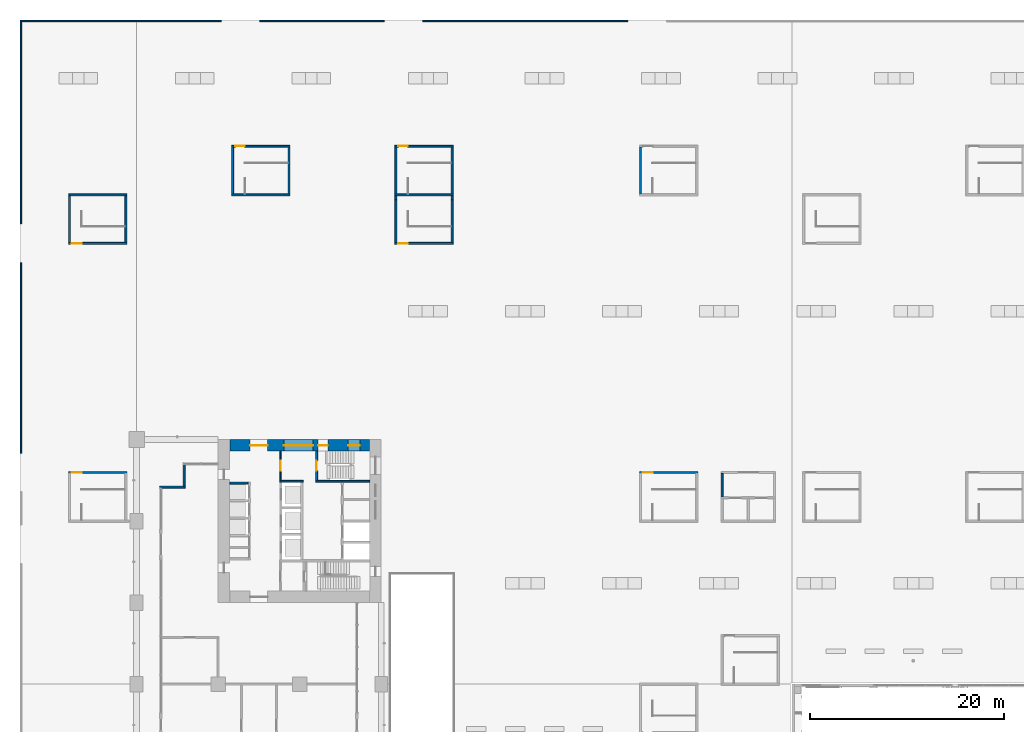
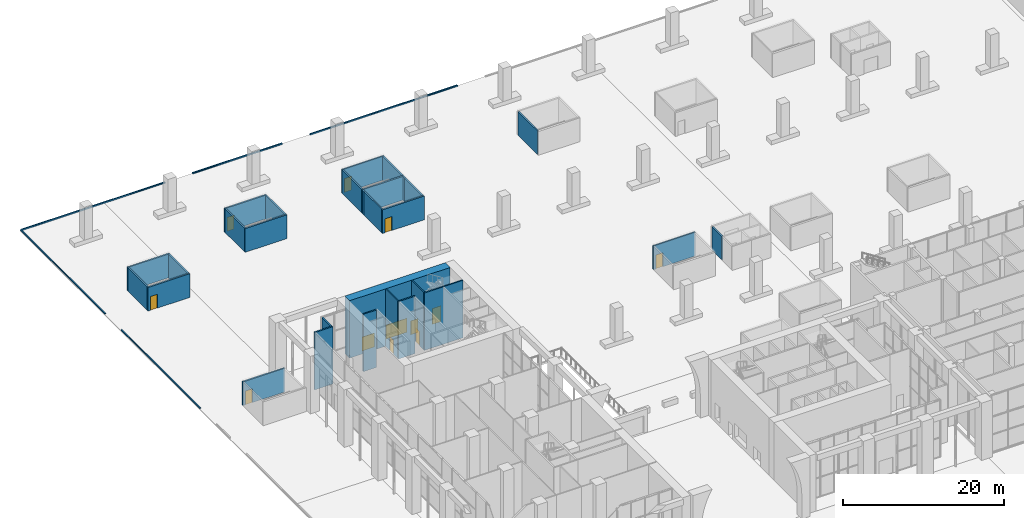
# One storey, part 28 of 46: 34 walls, 10 doors, 2 windows, 12 openings.
"""IFC4 building model written with IfcOpenShell, lengths in metres."""

from ifc_helpers import new_model, si_unit, direction, frame, frame_2d, origin, place, context, subcontext, project, spatial, rectangle, extrude, material, layer, layer_set, type_object, element, fill, save


model = new_model("IFC4")

# Units and contexts
model_context = context("Model", 3, precision=1e-05, world=origin(), true_north=direction((0.0, 1.0)))
body_context = subcontext(model_context, "Body", "Model", "MODEL_VIEW")
ifc_project = project(units=[si_unit("LENGTHUNIT", "METRE"), si_unit("AREAUNIT", "SQUARE_METRE"), si_unit("VOLUMEUNIT", "CUBIC_METRE"), si_unit("PLANEANGLEUNIT", "RADIAN"), si_unit("MASSUNIT", "GRAM", prefix="KILO")], contexts=[model_context])

# Site, building, storey
site_placement = place(None, origin())
site = spatial("IfcSite", under=ifc_project, at=site_placement, CompositionType="ELEMENT")
building_placement = place(site_placement, origin())
building = spatial("IfcBuilding", under=site, at=building_placement, Name="Vermilion Gate Residences", CompositionType="ELEMENT")
storey_placement = place(building_placement, origin())
storey = spatial("IfcBuildingStorey", under=building, at=storey_placement, Name="L00", CompositionType="ELEMENT", Elevation=0.0)

# Wall, opening, door
ifc_material_1 = material(Name="Masonry blockwork", Category="masonry")
ifc_layer_1 = layer(ifc_material_1, 0.14990234375)
ifc_layer_set_1 = layer_set([ifc_layer_1], Name="BLOCKWORK PARTITION 150 EI 120")
wall_type_1 = type_object("IfcWallType", Name="BLOCKWORK PARTITION 150 EI 120", PredefinedType="PARTITIONING", material=ifc_layer_set_1)
wall_1_placement = place(storey_placement, frame((14.824951171875, 57.60009765625, 0.0), z_axis=(0.0, 0.0, 1.0), x_axis=(0.0, -1.0, 0.0)))
wall_1 = element("IfcWall", 1, at=wall_1_placement, inside=storey, type_object=wall_type_1, Name="Core room partition B00-VW-S", PredefinedType="PARTITIONING", context=body_context, shape_type="SweptSolid", body=[
    extrude(rectangle(XDim=3.0, YDim=0.14990234375, at=frame_2d((1.5, 0.0))), origin(), (0.0, 0.0, 1.0), 8.699951171875),
])
opening_1_placement = place(wall_1_placement, frame((1.0, 0.0, 0.0)))
opening_1 = element("IfcOpeningElement", 2, at=opening_1_placement, cuts=wall_1, Name="Opening DK00119", PredefinedType="OPENING", context=body_context, shape_type="SweptSolid", body=[
    extrude(rectangle(XDim=1.0, YDim=2.10009765625, at=frame_2d((0.5, 1.050048828125))), frame((0.0, 0.0849609375, 0.0), z_axis=(0.0, -1.0, 0.0), x_axis=(1.0, 0.0, 0.0)), (0.0, 0.0, 1.0), 0.169921875),
])
ifc_material_2 = material(Name="Steel", Category="steel")
door_type_1 = type_object("IfcDoorType", Name="FIRE DOOR FD60 1000 X 2100", OperationType="SINGLE_SWING_LEFT", PredefinedType="DOOR", material=ifc_material_2)
door_1_placement = place(opening_1_placement, frame((1.0, 0.0, 0.0), z_axis=(0.0, 0.0, 1.0), x_axis=(-1.0, 0.0, 0.0)))
door_1 = element("IfcDoor", 3, at=door_1_placement, inside=storey, type_object=door_type_1, Name="Stair vestibule door B00", OperationType="SINGLE_SWING_RIGHT", OverallHeight=2.10009765625, OverallWidth=1.0, PredefinedType="DOOR", context=body_context, shape_type="SweptSolid", body=[
    extrude(rectangle(XDim=1.0, YDim=2.10009765625, at=frame_2d((0.5, 1.050048828125))), frame((0.0, 0.02490234375, 0.0), z_axis=(0.0, -1.0, 0.0), x_axis=(1.0, 0.0, 0.0)), (0.0, 0.0, 1.0), 0.050048828125),
])
fill(opening_1, door_1)

# Walls
ifc_material_3 = material(Name="Insulated steel stud wall with terracotta rainscreen", Category="masonry")
ifc_layer_2 = layer(ifc_material_3, 0.199951171875)
ifc_layer_set_2 = layer_set([ifc_layer_2], Name="EXTERNAL WALL 200 TERRACOTTA RAINSCREEN")
wall_type_2 = type_object("IfcWallType", Name="EXTERNAL WALL 200 TERRACOTTA RAINSCREEN", PredefinedType="SOLIDWALL", material=ifc_layer_set_2)
wall_2_placement = place(storey_placement, frame((4.89990234375, 56.199951171875, 0.0), z_axis=(0.0, 0.0, 1.0), x_axis=(0.0, -1.0, 0.0)))
element("IfcWall", 4, at=wall_2_placement, inside=storey, type_object=wall_type_2, Name="External wall", PredefinedType="SOLIDWALL", context=body_context, shape_type="SweptSolid", body=[
    extrude(rectangle(XDim=2.199951171875, YDim=0.199951171875, at=frame_2d((1.10009765625, 0.0))), origin(), (0.0, 0.0, 1.0), 8.699951171875),
])
wall_3_placement = place(storey_placement, frame((5.0, 53.89990234375, 0.0), z_axis=(0.0, 0.0, 1.0), x_axis=(-1.0, 0.0, 0.0)))
element("IfcWall", 5, at=wall_3_placement, inside=storey, type_object=wall_type_2, Name="External wall", PredefinedType="SOLIDWALL", context=body_context, shape_type="SweptSolid", body=[
    extrude(rectangle(XDim=2.60009765625, YDim=0.199951171875, at=frame_2d((1.300048828125, 0.0))), origin(), (0.0, 0.0, 1.0), 8.699951171875),
])
ifc_material_4 = material(Name="Concrete C35", Category="concrete")
ifc_layer_3 = layer(ifc_material_4, 0.14990234375)
ifc_layer_set_3 = layer_set([ifc_layer_3], Name="KERB 150 X 150 C35 (MARKET HALL)")
wall_type_3 = type_object("IfcWallType", Name="KERB 150 X 150 C35 (MARKET HALL)", PredefinedType="SOLIDWALL", material=ifc_layer_set_3)
wall_4_placement = place(storey_placement, frame((-11.830078125, 101.905029296875, 0.0), z_axis=(0.0, 0.0, 1.0), x_axis=(1.0, 0.0, 0.0)))
element("IfcWall", 6, at=wall_4_placement, inside=storey, type_object=wall_type_3, Name="Kerb north edge 1", PredefinedType="SOLIDWALL", context=body_context, shape_type="SweptSolid", body=[
    extrude(rectangle(XDim=20.530029296875, YDim=0.14990234375, at=frame_2d((10.26513671875, 0.0))), origin(), (0.0, 0.0, 1.0), 0.14990234375),
])
wall_5_placement = place(storey_placement, frame((12.699951171875, 101.905029296875, 0.0), z_axis=(0.0, 0.0, 1.0), x_axis=(1.0, 0.0, 0.0)))
element("IfcWall", 7, at=wall_5_placement, inside=storey, type_object=wall_type_3, Name="Kerb north edge 2", PredefinedType="SOLIDWALL", context=body_context, shape_type="SweptSolid", body=[
    extrude(rectangle(XDim=12.800048828125, YDim=0.14990234375, at=frame_2d((6.39990234375, 0.0))), origin(), (0.0, 0.0, 1.0), 0.14990234375),
])
wall_6_placement = place(storey_placement, frame((29.5, 101.905029296875, 0.0), z_axis=(0.0, 0.0, 1.0), x_axis=(1.0, 0.0, 0.0)))
element("IfcWall", 8, at=wall_6_placement, inside=storey, type_object=wall_type_3, Name="Kerb north edge 3", PredefinedType="SOLIDWALL", context=body_context, shape_type="SweptSolid", body=[
    extrude(rectangle(XDim=21.10009765625, YDim=0.14990234375, at=frame_2d((10.550048828125, 0.0))), origin(), (0.0, 0.0, 1.0), 0.14990234375),
])
wall_7_placement = place(storey_placement, frame((-11.905029296875, 57.39990234375, 0.0), z_axis=(0.0, 0.0, 1.0), x_axis=(0.0, 1.0, 0.0)))
element("IfcWall", 9, at=wall_7_placement, inside=storey, type_object=wall_type_3, Name="Kerb west edge 4", PredefinedType="SOLIDWALL", context=body_context, shape_type="SweptSolid", body=[
    extrude(rectangle(XDim=19.60009765625, YDim=0.14990234375, at=frame_2d((9.800048828125, 0.0))), origin(), (0.0, 0.0, 1.0), 0.14990234375),
])
wall_8_placement = place(storey_placement, frame((-11.905029296875, 81.0, 0.0), z_axis=(0.0, 0.0, 1.0), x_axis=(0.0, 1.0, 0.0)))
element("IfcWall", 10, at=wall_8_placement, inside=storey, type_object=wall_type_3, Name="Kerb west edge 5", PredefinedType="SOLIDWALL", context=body_context, shape_type="SweptSolid", body=[
    extrude(rectangle(XDim=20.97998046875, YDim=0.14990234375, at=frame_2d((10.489990234375, 0.0))), origin(), (0.0, 0.0, 1.0), 0.14990234375),
])
ifc_material_5 = material(Name="Concrete C60", Category="concrete")
ifc_layer_4 = layer(ifc_material_5, 0.199951171875)
ifc_layer_set_4 = layer_set([ifc_layer_4], Name="RC CORE INTERNAL WALL 200 C60")
wall_type_4 = type_object("IfcWallType", Name="RC CORE INTERNAL WALL 200 C60", PredefinedType="SHEAR", material=ifc_layer_set_4)
wall_9_placement = place(storey_placement, frame((9.60009765625, 54.300048828125, 0.0), z_axis=(0.0, 0.0, 1.0), x_axis=(1.0, 0.0, 0.0)))
element("IfcWall", 11, at=wall_9_placement, inside=storey, type_object=wall_type_4, Name="Core internal wall B00-LR-D0", PredefinedType="SHEAR", context=body_context, shape_type="SweptSolid", body=[
    extrude(rectangle(XDim=1.89990234375, YDim=0.199951171875, at=frame_2d((0.949951171875, 0.0))), origin(), (0.0, 0.0, 1.0), 8.699951171875),
])
wall_10_placement = place(storey_placement, frame((14.75, 54.5, 0.0), z_axis=(0.0, 0.0, 1.0), x_axis=(1.0, 0.0, 0.0)))
element("IfcWall", 12, at=wall_10_placement, inside=storey, type_object=wall_type_4, Name="Core internal wall B00-WDIV1", PredefinedType="SHEAR", context=body_context, shape_type="SweptSolid", body=[
    extrude(rectangle(XDim=2.39990234375, YDim=0.199951171875, at=frame_2d((1.199951171875, 0.0))), origin(), (0.0, 0.0, 1.0), 8.699951171875),
])
wall_11_placement = place(storey_placement, frame((18.449951171875, 54.5, 0.0), z_axis=(0.0, 0.0, 1.0), x_axis=(1.0, 0.0, 0.0)))
element("IfcWall", 13, at=wall_11_placement, inside=storey, type_object=wall_type_4, Name="Core internal wall B00-WDIV2", PredefinedType="SHEAR", context=body_context, shape_type="SweptSolid", body=[
    extrude(rectangle(XDim=5.550048828125, YDim=0.199951171875, at=frame_2d((2.77490234375, 0.0))), origin(), (0.0, 0.0, 1.0), 8.699951171875),
])

# Wall, opening, door
wall_12_placement = place(storey_placement, frame((18.550048828125, 57.60009765625, 0.0), z_axis=(0.0, 0.0, 1.0), x_axis=(0.0, -1.0, 0.0)))
wall_12 = element("IfcWall", 14, at=wall_12_placement, inside=storey, type_object=wall_type_4, Name="Core internal wall B00-STW-S", PredefinedType="SHEAR", context=body_context, shape_type="SweptSolid", body=[
    extrude(rectangle(XDim=3.0, YDim=0.199951171875, at=frame_2d((1.5, 0.0))), origin(), (0.0, 0.0, 1.0), 8.699951171875),
])
opening_2_placement = place(wall_12_placement, frame((1.0, 0.0, 0.0)))
opening_2 = element("IfcOpeningElement", 15, at=opening_2_placement, cuts=wall_12, Name="Opening DK00120", PredefinedType="OPENING", context=body_context, shape_type="SweptSolid", body=[
    extrude(rectangle(XDim=1.0, YDim=2.10009765625, at=frame_2d((0.5, 1.050048828125))), frame((0.0, 0.10986328125, 0.0), z_axis=(0.0, -1.0, 0.0), x_axis=(1.0, 0.0, 0.0)), (0.0, 0.0, 1.0), 0.219970703125),
])
door_2_placement = place(opening_2_placement, origin())
door_2 = element("IfcDoor", 16, at=door_2_placement, inside=storey, type_object=door_type_1, Name="Stair door B00", OperationType="SINGLE_SWING_LEFT", OverallHeight=2.10009765625, OverallWidth=1.0, PredefinedType="DOOR", context=body_context, shape_type="SweptSolid", body=[
    extrude(rectangle(XDim=1.0, YDim=2.10009765625, at=frame_2d((0.5, 1.050048828125))), frame((0.0, 0.02490234375, 0.0), z_axis=(0.0, -1.0, 0.0), x_axis=(1.0, 0.0, 0.0)), (0.0, 0.0, 1.0), 0.050048828125),
])
fill(opening_2, door_2)

# Wall, openings, windows, doors
ifc_material_6 = material(Name="Concrete C80 red-oxide pigmented", Category="concrete")
ifc_layer_5 = layer(ifc_material_6, 1.199951171875)
ifc_layer_set_5 = layer_set([ifc_layer_5], Name="RC CORE WALL 1200 C80 RED OXIDE")
wall_type_5 = type_object("IfcWallType", Name="RC CORE WALL 1200 C80 RED OXIDE", PredefinedType="SHEAR", material=ifc_layer_set_5)
wall_13_placement = place(storey_placement, frame((9.60009765625, 58.199951171875, 0.0), z_axis=(0.0, 0.0, 1.0), x_axis=(1.0, 0.0, 0.0)))
wall_13 = element("IfcWall", 17, at=wall_13_placement, inside=storey, type_object=wall_type_5, Name="Core wall B00-OUT-FR", PredefinedType="SHEAR", context=body_context, shape_type="SweptSolid", body=[
    extrude(rectangle(XDim=14.39990234375, YDim=1.199951171875, at=frame_2d((7.199951171875, 0.0))), origin(), (0.0, 0.0, 1.0), 8.699951171875),
])
opening_3_placement = place(wall_13_placement, frame((2.10009765625, 0.0, 0.0)))
opening_3 = element("IfcOpeningElement", 18, at=opening_3_placement, cuts=wall_13, Name="Opening DK00104", PredefinedType="OPENING", context=body_context, shape_type="SweptSolid", body=[
    extrude(rectangle(XDim=1.800048828125, YDim=2.10009765625, at=frame_2d((0.89990234375, 1.050048828125))), frame((0.0, 0.60986328125, 0.0), z_axis=(0.0, -1.0, 0.0), x_axis=(1.0, 0.0, 0.0)), (0.0, 0.0, 1.0), 1.219970703125),
])
opening_4_placement = place(wall_13_placement, frame((9.10009765625, 0.0, 0.0)))
opening_4 = element("IfcOpeningElement", 19, at=opening_4_placement, cuts=wall_13, Name="Opening DK00105", PredefinedType="OPENING", context=body_context, shape_type="SweptSolid", body=[
    extrude(rectangle(XDim=1.0, YDim=2.10009765625, at=frame_2d((0.5, 1.050048828125))), frame((0.0, 0.60986328125, 0.0), z_axis=(0.0, -1.0, 0.0), x_axis=(1.0, 0.0, 0.0)), (0.0, 0.0, 1.0), 1.219970703125),
])
opening_5_placement = place(wall_13_placement, frame((5.574951171875, 0.0, 0.60009765625)))
opening_5 = element("IfcOpeningElement", 20, at=opening_5_placement, cuts=wall_13, Name="Opening WKB0004", PredefinedType="OPENING", context=body_context, shape_type="SweptSolid", body=[
    extrude(rectangle(XDim=3.0, YDim=2.10009765625, at=frame_2d((1.5, 1.050048828125))), frame((0.0, 0.60986328125, 0.0), z_axis=(0.0, -1.0, 0.0), x_axis=(1.0, 0.0, 0.0)), (0.0, 0.0, 1.0), 1.219970703125),
])
opening_6_placement = place(wall_13_placement, frame((12.19677734375, 0.0, 0.5)))
opening_6 = element("IfcOpeningElement", 21, at=opening_6_placement, cuts=wall_13, Name="Opening WKB0005", PredefinedType="OPENING", context=body_context, shape_type="SweptSolid", body=[
    extrude(rectangle(XDim=1.199951171875, YDim=2.39990234375, at=frame_2d((0.60009765625, 1.199951171875))), frame((0.0, 0.60986328125, 0.0), z_axis=(0.0, -1.0, 0.0), x_axis=(1.0, 0.0, 0.0)), (0.0, 0.0, 1.0), 1.219970703125),
])
ifc_material_7 = material(Name="Aluminium and clear glass", Category="aluminium")
window_type_1 = type_object("IfcWindowType", Name="CORE LOBBY WINDOW 3000 X 2100", PartitioningType="SINGLE_PANEL", PredefinedType="WINDOW", material=ifc_material_7)
window_1_placement = place(opening_5_placement, origin())
window_1 = element("IfcWindow", 22, at=window_1_placement, inside=storey, type_object=window_type_1, Name="Core lobby window", OverallHeight=2.10009765625, OverallWidth=3.0, PartitioningType="SINGLE_PANEL", PredefinedType="WINDOW", context=body_context, shape_type="SweptSolid", body=[
    extrude(rectangle(XDim=3.0, YDim=2.10009765625, at=frame_2d((1.5, 1.050048828125))), frame((0.0, 0.030029296875, 0.0), z_axis=(0.0, -1.0, 0.0), x_axis=(1.0, 0.0, 0.0)), (0.0, 0.0, 1.0), 0.06005859375),
])
fill(opening_5, window_1)
ifc_material_8 = material(Name="Aluminium and clear glass", Category="aluminium")
window_type_2 = type_object("IfcWindowType", Name="CORE STAIR WINDOW 1200 X 2400", PartitioningType="SINGLE_PANEL", PredefinedType="WINDOW", material=ifc_material_8)
window_2_placement = place(opening_6_placement, origin())
window_2 = element("IfcWindow", 23, at=window_2_placement, inside=storey, type_object=window_type_2, Name="Core stair window", OverallHeight=2.39990234375, OverallWidth=1.199951171875, PartitioningType="SINGLE_PANEL", PredefinedType="WINDOW", context=body_context, shape_type="SweptSolid", body=[
    extrude(rectangle(XDim=1.199951171875, YDim=2.39990234375, at=frame_2d((0.60009765625, 1.199951171875))), frame((0.0, 0.030029296875, 0.0), z_axis=(0.0, -1.0, 0.0), x_axis=(1.0, 0.0, 0.0)), (0.0, 0.0, 1.0), 0.06005859375),
])
fill(opening_6, window_2)
ifc_material_9 = material(Name="Aluminium and glass", Category="aluminium")
door_type_2 = type_object("IfcDoorType", Name="EXTERIOR DOOR 1800 X 2100", OperationType="DOUBLE_DOOR_SINGLE_SWING", PredefinedType="DOOR", material=ifc_material_9)
door_3_placement = place(opening_3_placement, origin())
door_3 = element("IfcDoor", 24, at=door_3_placement, inside=storey, type_object=door_type_2, Name="Core entrance door B00", OperationType="DOUBLE_DOOR_SINGLE_SWING", OverallHeight=2.10009765625, OverallWidth=1.800048828125, PredefinedType="DOOR", context=body_context, shape_type="SweptSolid", body=[
    extrude(rectangle(XDim=1.800048828125, YDim=2.10009765625, at=frame_2d((0.89990234375, 1.050048828125))), frame((0.0, 0.02490234375, 0.0), z_axis=(0.0, -1.0, 0.0), x_axis=(1.0, 0.0, 0.0)), (0.0, 0.0, 1.0), 0.050048828125),
])
fill(opening_3, door_3)
ifc_material_10 = material(Name="Steel", Category="steel")
door_type_3 = type_object("IfcDoorType", Name="STAIR EXIT DOOR FD60 1000 X 2100", OperationType="SINGLE_SWING_LEFT", PredefinedType="DOOR", material=ifc_material_10)
door_4_placement = place(opening_4_placement, origin())
door_4 = element("IfcDoor", 25, at=door_4_placement, inside=storey, type_object=door_type_3, Name="Stair exit door B00", OperationType="SINGLE_SWING_LEFT", OverallHeight=2.10009765625, OverallWidth=1.0, PredefinedType="DOOR", context=body_context, shape_type="SweptSolid", body=[
    extrude(rectangle(XDim=1.0, YDim=2.10009765625, at=frame_2d((0.5, 1.050048828125))), frame((0.0, 0.02490234375, 0.0), z_axis=(0.0, -1.0, 0.0), x_axis=(1.0, 0.0, 0.0)), (0.0, 0.0, 1.0), 0.050048828125),
])
fill(opening_4, door_4)

# Wall, opening, door
ifc_material_11 = material(Name="Concrete C40", Category="concrete")
ifc_layer_6 = layer(ifc_material_11, 0.199951171875)
ifc_layer_set_6 = layer_set([ifc_layer_6], Name="RC STAIR AND SHAFT WALL 200 EI 180 C40 (AMENITY)")
wall_type_6 = type_object("IfcWallType", Name="RC STAIR AND SHAFT WALL 200 EI 180 C40 (AMENITY)", PredefinedType="SOLIDWALL", material=ifc_layer_set_6)
wall_14_placement = place(storey_placement, frame((-7.0, 55.39990234375, 0.0), z_axis=(0.0, 0.0, 1.0), x_axis=(1.0, 0.0, 0.0)))
wall_14 = element("IfcWall", 26, at=wall_14_placement, inside=storey, type_object=wall_type_6, Name="Stair and shaft wall 6", PredefinedType="SOLIDWALL", context=body_context, shape_type="SweptSolid", body=[
    extrude(rectangle(XDim=6.0, YDim=0.199951171875, at=frame_2d((3.0, 0.0))), origin(), (0.0, 0.0, 1.0), 3.60009765625),
])
opening_7_placement = place(wall_14_placement, frame((0.35009765625, 0.0, 0.0)))
opening_7 = element("IfcOpeningElement", 27, at=opening_7_placement, cuts=wall_14, Name="Opening DG00002", PredefinedType="OPENING", context=body_context, shape_type="SweptSolid", body=[
    extrude(rectangle(XDim=1.0, YDim=2.10009765625, at=frame_2d((0.5, 1.050048828125))), frame((0.0, 0.10986328125, 0.0), z_axis=(0.0, -1.0, 0.0), x_axis=(1.0, 0.0, 0.0)), (0.0, 0.0, 1.0), 0.219970703125),
])
ifc_material_12 = material(Name="Steel", Category="steel")
door_type_4 = type_object("IfcDoorType", Name="DOOR 1000 X 2100 FD60 (AMENITY)", OperationType="SINGLE_SWING_LEFT", PredefinedType="DOOR", material=ifc_material_12)
door_5_placement = place(opening_7_placement, origin())
door_5 = element("IfcDoor", 28, at=door_5_placement, inside=storey, type_object=door_type_4, Name="Door L00 2", OperationType="SINGLE_SWING_LEFT", OverallHeight=2.10009765625, OverallWidth=1.0, PredefinedType="DOOR", context=body_context, shape_type="SweptSolid", body=[
    extrude(rectangle(XDim=1.0, YDim=2.10009765625, at=frame_2d((0.5, 1.050048828125))), frame((0.0, 0.02490234375, 0.0), z_axis=(0.0, -1.0, 0.0), x_axis=(1.0, 0.0, 0.0)), (0.0, 0.0, 1.0), 0.050048828125),
])
fill(opening_7, door_5)

# Wall
wall_15_placement = place(storey_placement, frame((-6.89990234375, 79.10009765625, 0.0), z_axis=(0.0, 0.0, 1.0), x_axis=(0.0, 1.0, 0.0)))
element("IfcWall", 29, at=wall_15_placement, inside=storey, type_object=wall_type_6, Name="Stair and shaft wall 7", PredefinedType="SOLIDWALL", context=body_context, shape_type="SweptSolid", body=[
    extrude(rectangle(XDim=4.7998046875, YDim=0.199951171875, at=frame_2d((2.39990234375, 0.0))), origin(), (0.0, 0.0, 1.0), 3.60009765625),
])

# Wall, opening, door
wall_16_placement = place(storey_placement, frame((-7.0, 79.0, 0.0), z_axis=(0.0, 0.0, 1.0), x_axis=(1.0, 0.0, 0.0)))
wall_16 = element("IfcWall", 30, at=wall_16_placement, inside=storey, type_object=wall_type_6, Name="Stair and shaft wall 8", PredefinedType="SOLIDWALL", context=body_context, shape_type="SweptSolid", body=[
    extrude(rectangle(XDim=6.0, YDim=0.199951171875, at=frame_2d((3.0, 0.0))), origin(), (0.0, 0.0, 1.0), 3.60009765625),
])
opening_8_placement = place(wall_16_placement, frame((0.35009765625, 0.0, 0.0)))
opening_8 = element("IfcOpeningElement", 31, at=opening_8_placement, cuts=wall_16, Name="Opening DG00007", PredefinedType="OPENING", context=body_context, shape_type="SweptSolid", body=[
    extrude(rectangle(XDim=1.0, YDim=2.10009765625, at=frame_2d((0.5, 1.050048828125))), frame((0.0, 0.10986328125, 0.0), z_axis=(0.0, -1.0, 0.0), x_axis=(1.0, 0.0, 0.0)), (0.0, 0.0, 1.0), 0.219970703125),
])
door_6_placement = place(opening_8_placement, frame((1.0, 0.0, 0.0), z_axis=(0.0, 0.0, 1.0), x_axis=(-1.0, 0.0, 0.0)))
door_6 = element("IfcDoor", 32, at=door_6_placement, inside=storey, type_object=door_type_4, Name="Door L00 7", OperationType="SINGLE_SWING_RIGHT", OverallHeight=2.10009765625, OverallWidth=1.0, PredefinedType="DOOR", context=body_context, shape_type="SweptSolid", body=[
    extrude(rectangle(XDim=1.0, YDim=2.10009765625, at=frame_2d((0.5, 1.050048828125))), frame((0.0, 0.02490234375, 0.0), z_axis=(0.0, -1.0, 0.0), x_axis=(1.0, 0.0, 0.0)), (0.0, 0.0, 1.0), 0.050048828125),
])
fill(opening_8, door_6)

# Walls
wall_17_placement = place(storey_placement, frame((-7.0, 84.0, 0.0), z_axis=(0.0, 0.0, 1.0), x_axis=(1.0, 0.0, 0.0)))
element("IfcWall", 33, at=wall_17_placement, inside=storey, type_object=wall_type_6, Name="Stair and shaft wall 9", PredefinedType="SOLIDWALL", context=body_context, shape_type="SweptSolid", body=[
    extrude(rectangle(XDim=6.0, YDim=0.199951171875, at=frame_2d((3.0, 0.0))), origin(), (0.0, 0.0, 1.0), 3.60009765625),
])
for number, where, z_axis, x_axis, name in (
    (34, (-1.10009765625, 79.10009765625, 0.0), (0.0, 0.0, 1.0), (0.0, 1.0, 0.0), "Stair and shaft wall 12"),
    (35, (9.89990234375, 84.10009765625, 0.0), (0.0, 0.0, 1.0), (0.0, 1.0, 0.0), "Stair and shaft wall 13"),
):
    element("IfcWall", number, at=place(storey_placement, frame(where, z_axis=z_axis, x_axis=x_axis)), inside=storey, type_object=wall_type_6, Name=name, PredefinedType="SOLIDWALL", context=body_context, shape_type="SweptSolid", body=[
        extrude(rectangle(XDim=4.7998046875, YDim=0.199951171875, at=frame_2d((2.39990234375, 0.0))), origin(), (0.0, 0.0, 1.0), 3.60009765625),
    ])
wall_18_placement = place(storey_placement, frame((9.800048828125, 84.0, 0.0), z_axis=(0.0, 0.0, 1.0), x_axis=(1.0, 0.0, 0.0)))
element("IfcWall", 36, at=wall_18_placement, inside=storey, type_object=wall_type_6, Name="Stair and shaft wall 14", PredefinedType="SOLIDWALL", context=body_context, shape_type="SweptSolid", body=[
    extrude(rectangle(XDim=6.0, YDim=0.199951171875, at=frame_2d((3.0, 0.0))), origin(), (0.0, 0.0, 1.0), 3.60009765625),
])

# Wall, opening, door
wall_19_placement = place(storey_placement, frame((9.800048828125, 89.0, 0.0), z_axis=(0.0, 0.0, 1.0), x_axis=(1.0, 0.0, 0.0)))
wall_19 = element("IfcWall", 37, at=wall_19_placement, inside=storey, type_object=wall_type_6, Name="Stair and shaft wall 15", PredefinedType="SOLIDWALL", context=body_context, shape_type="SweptSolid", body=[
    extrude(rectangle(XDim=6.0, YDim=0.199951171875, at=frame_2d((3.0, 0.0))), origin(), (0.0, 0.0, 1.0), 3.60009765625),
])
opening_9_placement = place(wall_19_placement, frame((0.35009765625, 0.0, 0.0)))
opening_9 = element("IfcOpeningElement", 38, at=opening_9_placement, cuts=wall_19, Name="Opening DG00008", PredefinedType="OPENING", context=body_context, shape_type="SweptSolid", body=[
    extrude(rectangle(XDim=1.0, YDim=2.10009765625, at=frame_2d((0.5, 1.050048828125))), frame((0.0, 0.10986328125, 0.0), z_axis=(0.0, -1.0, 0.0), x_axis=(1.0, 0.0, 0.0)), (0.0, 0.0, 1.0), 0.219970703125),
])
door_7_placement = place(opening_9_placement, origin())
door_7 = element("IfcDoor", 39, at=door_7_placement, inside=storey, type_object=door_type_4, Name="Door L00 8", OperationType="SINGLE_SWING_LEFT", OverallHeight=2.10009765625, OverallWidth=1.0, PredefinedType="DOOR", context=body_context, shape_type="SweptSolid", body=[
    extrude(rectangle(XDim=1.0, YDim=2.10009765625, at=frame_2d((0.5, 1.050048828125))), frame((0.0, 0.02490234375, 0.0), z_axis=(0.0, -1.0, 0.0), x_axis=(1.0, 0.0, 0.0)), (0.0, 0.0, 1.0), 0.050048828125),
])
fill(opening_9, door_7)

# Walls
wall_20_placement = place(storey_placement, frame((15.699951171875, 84.10009765625, 0.0), z_axis=(0.0, 0.0, 1.0), x_axis=(0.0, 1.0, 0.0)))
element("IfcWall", 40, at=wall_20_placement, inside=storey, type_object=wall_type_6, Name="Stair and shaft wall 16", PredefinedType="SOLIDWALL", context=body_context, shape_type="SweptSolid", body=[
    extrude(rectangle(XDim=4.7998046875, YDim=0.199951171875, at=frame_2d((2.39990234375, 0.0))), origin(), (0.0, 0.0, 1.0), 3.60009765625),
])
wall_21_placement = place(storey_placement, frame((26.699951171875, 79.10009765625, 0.0), z_axis=(0.0, 0.0, 1.0), x_axis=(0.0, 1.0, 0.0)))
element("IfcWall", 41, at=wall_21_placement, inside=storey, type_object=wall_type_6, Name="Stair and shaft wall 17", PredefinedType="SOLIDWALL", context=body_context, shape_type="SweptSolid", body=[
    extrude(rectangle(XDim=4.39990234375, YDim=0.199951171875, at=frame_2d((2.199951171875, 0.0))), origin(), (0.0, 0.0, 1.0), 3.60009765625),
])

# Wall, opening, door
wall_22_placement = place(storey_placement, frame((26.60009765625, 79.0, 0.0), z_axis=(0.0, 0.0, 1.0), x_axis=(1.0, 0.0, 0.0)))
wall_22 = element("IfcWall", 42, at=wall_22_placement, inside=storey, type_object=wall_type_6, Name="Stair and shaft wall 18", PredefinedType="SOLIDWALL", context=body_context, shape_type="SweptSolid", body=[
    extrude(rectangle(XDim=6.0, YDim=0.199951171875, at=frame_2d((3.0, 0.0))), origin(), (0.0, 0.0, 1.0), 3.60009765625),
])
opening_10_placement = place(wall_22_placement, frame((0.35009765625, 0.0, 0.0)))
opening_10 = element("IfcOpeningElement", 43, at=opening_10_placement, cuts=wall_22, Name="Opening DG00010", PredefinedType="OPENING", context=body_context, shape_type="SweptSolid", body=[
    extrude(rectangle(XDim=1.0, YDim=2.10009765625, at=frame_2d((0.5, 1.050048828125))), frame((0.0, 0.10986328125, 0.0), z_axis=(0.0, -1.0, 0.0), x_axis=(1.0, 0.0, 0.0)), (0.0, 0.0, 1.0), 0.219970703125),
])
door_8_placement = place(opening_10_placement, frame((1.0, 0.0, 0.0), z_axis=(0.0, 0.0, 1.0), x_axis=(-1.0, 0.0, 0.0)))
door_8 = element("IfcDoor", 44, at=door_8_placement, inside=storey, type_object=door_type_4, Name="Door L00 10", OperationType="SINGLE_SWING_RIGHT", OverallHeight=2.10009765625, OverallWidth=1.0, PredefinedType="DOOR", context=body_context, shape_type="SweptSolid", body=[
    extrude(rectangle(XDim=1.0, YDim=2.10009765625, at=frame_2d((0.5, 1.050048828125))), frame((0.0, 0.02490234375, 0.0), z_axis=(0.0, -1.0, 0.0), x_axis=(1.0, 0.0, 0.0)), (0.0, 0.0, 1.0), 0.050048828125),
])
fill(opening_10, door_8)

# Walls
wall_23_placement = place(storey_placement, frame((26.699951171875, 83.5, 0.0), z_axis=(0.0, 0.0, 1.0), x_axis=(0.0, 1.0, 0.0)))
element("IfcWall", 45, at=wall_23_placement, inside=storey, type_object=wall_type_6, Name="Stair and shaft wall 19", PredefinedType="SOLIDWALL", context=body_context, shape_type="SweptSolid", body=[
    extrude(rectangle(XDim=0.39990234375, YDim=0.199951171875, at=frame_2d((0.199951171875, 0.0))), origin(), (0.0, 0.0, 1.0), 3.60009765625),
])
wall_24_placement = place(storey_placement, frame((26.699951171875, 84.10009765625, 0.0), z_axis=(0.0, 0.0, 1.0), x_axis=(0.0, 1.0, 0.0)))
element("IfcWall", 46, at=wall_24_placement, inside=storey, type_object=wall_type_6, Name="Stair and shaft wall 20", PredefinedType="SOLIDWALL", context=body_context, shape_type="SweptSolid", body=[
    extrude(rectangle(XDim=4.7998046875, YDim=0.199951171875, at=frame_2d((2.39990234375, 0.0))), origin(), (0.0, 0.0, 1.0), 3.60009765625),
])
wall_25_placement = place(storey_placement, frame((26.60009765625, 84.0, 0.0), z_axis=(0.0, 0.0, 1.0), x_axis=(1.0, 0.0, 0.0)))
element("IfcWall", 47, at=wall_25_placement, inside=storey, type_object=wall_type_6, Name="Stair and shaft wall 21", PredefinedType="SOLIDWALL", context=body_context, shape_type="SweptSolid", body=[
    extrude(rectangle(XDim=6.0, YDim=0.199951171875, at=frame_2d((3.0, 0.0))), origin(), (0.0, 0.0, 1.0), 3.60009765625),
])

# Wall, opening, door
wall_26_placement = place(storey_placement, frame((26.60009765625, 89.0, 0.0), z_axis=(0.0, 0.0, 1.0), x_axis=(1.0, 0.0, 0.0)))
wall_26 = element("IfcWall", 48, at=wall_26_placement, inside=storey, type_object=wall_type_6, Name="Stair and shaft wall 22", PredefinedType="SOLIDWALL", context=body_context, shape_type="SweptSolid", body=[
    extrude(rectangle(XDim=6.0, YDim=0.199951171875, at=frame_2d((3.0, 0.0))), origin(), (0.0, 0.0, 1.0), 3.60009765625),
])
opening_11_placement = place(wall_26_placement, frame((0.35009765625, 0.0, 0.0)))
opening_11 = element("IfcOpeningElement", 49, at=opening_11_placement, cuts=wall_26, Name="Opening DG00009", PredefinedType="OPENING", context=body_context, shape_type="SweptSolid", body=[
    extrude(rectangle(XDim=1.0, YDim=2.10009765625, at=frame_2d((0.5, 1.050048828125))), frame((0.0, 0.10986328125, 0.0), z_axis=(0.0, -1.0, 0.0), x_axis=(1.0, 0.0, 0.0)), (0.0, 0.0, 1.0), 0.219970703125),
])
door_9_placement = place(opening_11_placement, origin())
door_9 = element("IfcDoor", 50, at=door_9_placement, inside=storey, type_object=door_type_4, Name="Door L00 9", OperationType="SINGLE_SWING_LEFT", OverallHeight=2.10009765625, OverallWidth=1.0, PredefinedType="DOOR", context=body_context, shape_type="SweptSolid", body=[
    extrude(rectangle(XDim=1.0, YDim=2.10009765625, at=frame_2d((0.5, 1.050048828125))), frame((0.0, 0.02490234375, 0.0), z_axis=(0.0, -1.0, 0.0), x_axis=(1.0, 0.0, 0.0)), (0.0, 0.0, 1.0), 0.050048828125),
])
fill(opening_11, door_9)

# Walls
wall_27_placement = place(storey_placement, frame((32.5, 79.10009765625, 0.0), z_axis=(0.0, 0.0, 1.0), x_axis=(0.0, 1.0, 0.0)))
element("IfcWall", 51, at=wall_27_placement, inside=storey, type_object=wall_type_6, Name="Stair and shaft wall 23", PredefinedType="SOLIDWALL", context=body_context, shape_type="SweptSolid", body=[
    extrude(rectangle(XDim=4.39990234375, YDim=0.199951171875, at=frame_2d((2.199951171875, 0.0))), origin(), (0.0, 0.0, 1.0), 3.60009765625),
])
wall_28_placement = place(storey_placement, frame((32.5, 83.5, 0.0), z_axis=(0.0, 0.0, 1.0), x_axis=(0.0, 1.0, 0.0)))
element("IfcWall", 52, at=wall_28_placement, inside=storey, type_object=wall_type_6, Name="Stair and shaft wall 24", PredefinedType="SOLIDWALL", context=body_context, shape_type="SweptSolid", body=[
    extrude(rectangle(XDim=0.39990234375, YDim=0.199951171875, at=frame_2d((0.199951171875, 0.0))), origin(), (0.0, 0.0, 1.0), 3.60009765625),
])
wall_29_placement = place(storey_placement, frame((32.5, 84.10009765625, 0.0), z_axis=(0.0, 0.0, 1.0), x_axis=(0.0, 1.0, 0.0)))
element("IfcWall", 53, at=wall_29_placement, inside=storey, type_object=wall_type_6, Name="Stair and shaft wall 25", PredefinedType="SOLIDWALL", context=body_context, shape_type="SweptSolid", body=[
    extrude(rectangle(XDim=4.7998046875, YDim=0.199951171875, at=frame_2d((2.39990234375, 0.0))), origin(), (0.0, 0.0, 1.0), 3.60009765625),
])

# Wall, opening, door
wall_30_placement = place(storey_placement, frame((51.800048828125, 55.39990234375, 0.0), z_axis=(0.0, 0.0, 1.0), x_axis=(1.0, 0.0, 0.0)))
wall_30 = element("IfcWall", 54, at=wall_30_placement, inside=storey, type_object=wall_type_6, Name="Stair and shaft wall 31", PredefinedType="SOLIDWALL", context=body_context, shape_type="SweptSolid", body=[
    extrude(rectangle(XDim=6.0, YDim=0.199951171875, at=frame_2d((3.0, 0.0))), origin(), (0.0, 0.0, 1.0), 3.60009765625),
])
opening_12_placement = place(wall_30_placement, frame((0.35009765625, 0.0, 0.0)))
opening_12 = element("IfcOpeningElement", 55, at=opening_12_placement, cuts=wall_30, Name="Opening DG00015", PredefinedType="OPENING", context=body_context, shape_type="SweptSolid", body=[
    extrude(rectangle(XDim=1.0, YDim=2.10009765625, at=frame_2d((0.5, 1.050048828125))), frame((0.0, 0.10986328125, 0.0), z_axis=(0.0, -1.0, 0.0), x_axis=(1.0, 0.0, 0.0)), (0.0, 0.0, 1.0), 0.219970703125),
])
door_10_placement = place(opening_12_placement, origin())
door_10 = element("IfcDoor", 56, at=door_10_placement, inside=storey, type_object=door_type_4, Name="Door L00 15", OperationType="SINGLE_SWING_LEFT", OverallHeight=2.10009765625, OverallWidth=1.0, PredefinedType="DOOR", context=body_context, shape_type="SweptSolid", body=[
    extrude(rectangle(XDim=1.0, YDim=2.10009765625, at=frame_2d((0.5, 1.050048828125))), frame((0.0, 0.02490234375, 0.0), z_axis=(0.0, -1.0, 0.0), x_axis=(1.0, 0.0, 0.0)), (0.0, 0.0, 1.0), 0.050048828125),
])
fill(opening_12, door_10)

# Walls
wall_31_placement = place(storey_placement, frame((51.89990234375, 84.10009765625, 0.0), z_axis=(0.0, 0.0, 1.0), x_axis=(0.0, 1.0, 0.0)))
element("IfcWall", 57, at=wall_31_placement, inside=storey, type_object=wall_type_6, Name="Stair and shaft wall 32", PredefinedType="SOLIDWALL", context=body_context, shape_type="SweptSolid", body=[
    extrude(rectangle(XDim=4.7998046875, YDim=0.199951171875, at=frame_2d((2.39990234375, 0.0))), origin(), (0.0, 0.0, 1.0), 3.60009765625),
])
wall_32_placement = place(storey_placement, frame((60.300048828125, 52.89990234375, 0.0), z_axis=(0.0, 0.0, 1.0), x_axis=(0.0, 1.0, 0.0)))
element("IfcWall", 58, at=wall_32_placement, inside=storey, type_object=wall_type_6, Name="Stair and shaft wall 43", PredefinedType="SOLIDWALL", context=body_context, shape_type="SweptSolid", body=[
    extrude(rectangle(XDim=2.400146484375, YDim=0.199951171875, at=frame_2d((1.2001953125, 0.0))), origin(), (0.0, 0.0, 1.0), 3.60009765625),
])

save(model, "model.ifc")
